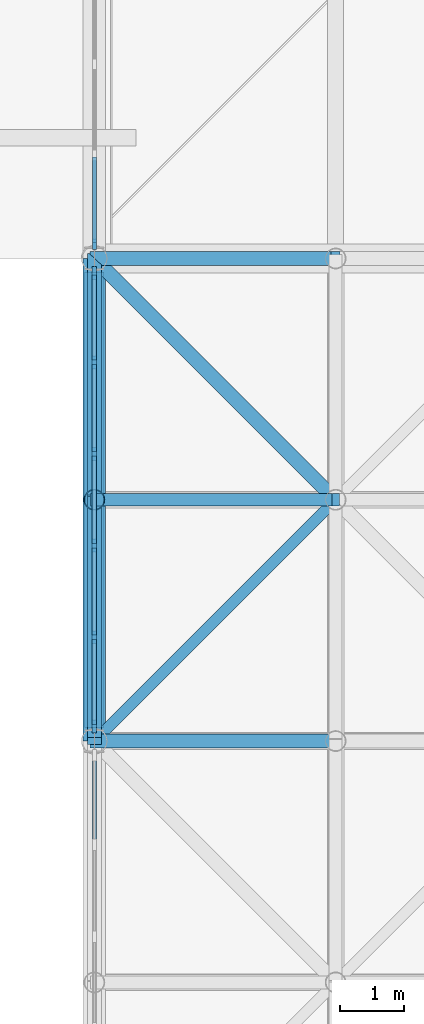
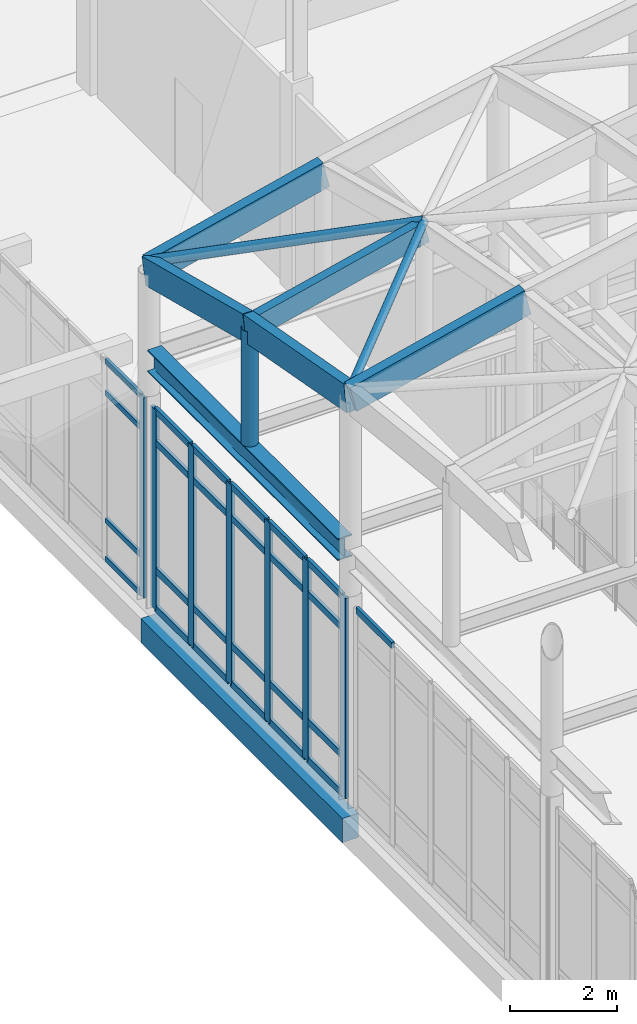
# One storey, part 25 of 131: 40 members, 2 beams, 3 elements without a shape of their own.
"""IFC4 building model written with IfcOpenShell, lengths in metres."""

from ifc_helpers import new_model, si_unit, direction, frame, origin, origin_2d, place, context, subcontext, project, spatial, rectangle, hollow_circle, i_section, extrude, material, layer, layer_set, material_profile, profile_set, type_object, element, aggregate, save


model = new_model("IFC4")

# Units and contexts
model_context = context("Model", 3, precision=1e-05, world=origin(), true_north=direction((0.0, 1.0)))
body_context = subcontext(model_context, "Body", "Model", "MODEL_VIEW")
ifc_project = project(units=[si_unit("LENGTHUNIT", "METRE"), si_unit("AREAUNIT", "SQUARE_METRE"), si_unit("VOLUMEUNIT", "CUBIC_METRE"), si_unit("PLANEANGLEUNIT", "RADIAN"), si_unit("MASSUNIT", "GRAM", prefix="KILO")], contexts=[model_context])

# Site, building, storey
site_placement = place(None, origin())
site = spatial("IfcSite", under=ifc_project, at=site_placement, CompositionType="ELEMENT")
building_placement = place(site_placement, origin())
building = spatial("IfcBuilding", under=site, at=building_placement, Name="Dalvernix Boulevard General Hospital", CompositionType="ELEMENT")
storey_placement = place(building_placement, frame((0.0, 0.0, 9.300048828125)))
storey = spatial("IfcBuildingStorey", under=building, at=storey_placement, Name="L02", CompositionType="ELEMENT", Elevation=9.300048828125)

# Beams
ifc_material_1 = material(Name="Steel S355", Category="steel")
ifc_material_profile_1 = material_profile(ifc_material_1, i_section(OverallWidth=0.300048828125, OverallDepth=0.5, WebThickness=0.014404296875, FlangeThickness=0.028076171875, FilletRadius=0.027099609375, at=origin_2d()), Name="HEB 500")
ifc_profile_set_1 = profile_set([ifc_material_profile_1], Name="Steel S355")
beam_type_1 = type_object("IfcBeamType", Name="BM-RB-02", PredefinedType="BEAM", material=ifc_profile_set_1)
beam_1_placement = place(storey_placement, frame((60.0, 54.2099609375, 5.64990234375), z_axis=(0.0, 1.0, 0.0), x_axis=(-1.0, 0.0, 0.0)))
element("IfcBeam", 1, at=beam_1_placement, inside=storey, type_object=beam_type_1, Name="Gridshell Ring Beam W bay 4", PredefinedType="BEAM", context=body_context, shape_type="SweptSolid", body=[
    extrude(i_section(OverallWidth=0.300048828125, OverallDepth=0.5, WebThickness=0.014404296875, FlangeThickness=0.028076171875, FilletRadius=0.027099609375, at=origin_2d()), origin(), (0.0, 0.0, 1.0), 7.080078125),
])
ifc_material_2 = material(Name="Concrete C35/45", Category="concrete")
ifc_material_profile_2 = material_profile(ifc_material_2, rectangle(XDim=0.35009765625, YDim=0.550048828125, at=origin_2d()), Name="RCB 350x550")
ifc_profile_set_2 = profile_set([ifc_material_profile_2], Name="Concrete C35/45")
beam_type_2 = type_object("IfcBeamType", Name="BM-SB-01-E", PredefinedType="SPANDREL", material=ifc_profile_set_2)
beam_2_placement = place(storey_placement, frame((60.0, 54.0, -0.594970703125), z_axis=(0.0, 1.0, 0.0), x_axis=(-1.0, 0.0, 0.0)))
element("IfcBeam", 2, at=beam_2_placement, inside=storey, type_object=beam_type_2, Name="L02 N-S girder 9:H-J", PredefinedType="SPANDREL", context=body_context, shape_type="SweptSolid", body=[
    extrude(rectangle(XDim=0.35009765625, YDim=0.550048828125, at=origin_2d()), origin(), (0.0, 0.0, 1.0), 7.5),
])

# Curtain wall, member
ifc_material_3 = material(Name="Thermally broken aluminium and solar-control glass curtain wall", Category="aluminium")
ifc_layer_1 = layer(ifc_material_3, 0.159912109375)
ifc_layer_set_1 = layer_set([ifc_layer_1], Name="Thermally broken aluminium and solar-control glass curtain wall (CW-CW-A-71x46)")
curtain_wall_type_1 = type_object("IfcCurtainWallType", Name="CW-CW-A-71x46", PredefinedType="USERDEFINED", material=ifc_layer_set_1)
curtain_wall_1_placement = place(storey_placement, origin())
curtain_wall_1 = element("IfcCurtainWall", 3, at=curtain_wall_1_placement, inside=storey, type_object=curtain_wall_type_1, Name="L02 curtain wall CW-A-71x46 8-8", ObjectType="GLAZED FACADE", PredefinedType="USERDEFINED")
ifc_material_4 = material(Name="Aluminium EN AW-6060", Category="aluminium")
ifc_material_profile_3 = material_profile(ifc_material_4, rectangle(XDim=0.06005859375, YDim=0.159912109375, at=origin_2d()), Name="ALU MULL 60x160")
ifc_profile_set_3 = profile_set([ifc_material_profile_3], Name="Aluminium EN AW-6060")
member_type_1 = type_object("IfcMemberType", Name="MEM-CW-M1", PredefinedType="MULLION", material=ifc_profile_set_3)
member_1_placement = place(storey_placement, frame((60.0, 61.719970703125, 0.0), z_axis=(0.0, 0.0, 1.0), x_axis=(-1.0, 0.0, 0.0)))
member_1 = element("IfcMember", 4, at=member_1_placement, type_object=member_type_1, Name="CW-A-71x46 mullion 1", PredefinedType="MULLION", context=body_context, shape_type="SweptSolid", body=[
    extrude(rectangle(XDim=0.06005859375, YDim=0.159912109375, at=origin_2d()), origin(), (0.0, 0.0, 1.0), 4.550048828125),
])

# Curtain wall, members
ifc_layer_2 = layer(ifc_material_3, 0.199951171875)
ifc_layer_set_2 = layer_set([ifc_layer_2], Name="Thermally broken aluminium and solar-control glass curtain wall (CW-CW-C-71x46)")
curtain_wall_type_2 = type_object("IfcCurtainWallType", Name="CW-CW-C-71x46", PredefinedType="USERDEFINED", material=ifc_layer_set_2)
curtain_wall_2_placement = place(storey_placement, origin())
curtain_wall_2 = element("IfcCurtainWall", 5, at=curtain_wall_2_placement, inside=storey, type_object=curtain_wall_type_2, Name="L02 curtain wall CW-C-71x46 8-7", ObjectType="GLAZED FACADE", PredefinedType="USERDEFINED")
ifc_material_profile_4 = material_profile(ifc_material_4, rectangle(XDim=0.070068359375, YDim=0.199951171875, at=origin_2d()), Name="ALU MULL 70x200")
ifc_profile_set_4 = profile_set([ifc_material_profile_4], Name="Aluminium EN AW-6060")
member_type_2 = type_object("IfcMemberType", Name="MEM-CW-M3", PredefinedType="MULLION", material=ifc_profile_set_4)
member_2_placement = place(storey_placement, frame((60.0, 54.22509765625, 0.0), z_axis=(0.0, 0.0, 1.0), x_axis=(-1.0, 0.0, 0.0)))
member_2 = element("IfcMember", 6, at=member_2_placement, type_object=member_type_2, Name="CW-C-71x46 mullion 1", PredefinedType="MULLION", context=body_context, shape_type="SweptSolid", body=[
    extrude(rectangle(XDim=0.070068359375, YDim=0.199951171875, at=origin_2d()), origin(), (0.0, 0.0, 1.0), 4.550048828125),
])
member_3_placement = place(storey_placement, frame((60.0, 55.614013671875, 0.0), z_axis=(0.0, 0.0, 1.0), x_axis=(-1.0, 0.0, 0.0)))
member_3 = element("IfcMember", 7, at=member_3_placement, type_object=member_type_2, Name="CW-C-71x46 mullion 2", PredefinedType="MULLION", context=body_context, shape_type="SweptSolid", body=[
    extrude(rectangle(XDim=0.070068359375, YDim=0.199951171875, at=origin_2d()), origin(), (0.0, 0.0, 1.0), 4.550048828125),
])
member_4_placement = place(storey_placement, frame((60.0, 57.0380859375, 0.0), z_axis=(0.0, 0.0, 1.0), x_axis=(-1.0, 0.0, 0.0)))
member_4 = element("IfcMember", 8, at=member_4_placement, type_object=member_type_2, Name="CW-C-71x46 mullion 3", PredefinedType="MULLION", context=body_context, shape_type="SweptSolid", body=[
    extrude(rectangle(XDim=0.070068359375, YDim=0.199951171875, at=origin_2d()), origin(), (0.0, 0.0, 1.0), 4.550048828125),
])
member_5_placement = place(storey_placement, frame((60.0, 58.4619140625, 0.0), z_axis=(0.0, 0.0, 1.0), x_axis=(-1.0, 0.0, 0.0)))
member_5 = element("IfcMember", 9, at=member_5_placement, type_object=member_type_2, Name="CW-C-71x46 mullion 4", PredefinedType="MULLION", context=body_context, shape_type="SweptSolid", body=[
    extrude(rectangle(XDim=0.070068359375, YDim=0.199951171875, at=origin_2d()), origin(), (0.0, 0.0, 1.0), 4.550048828125),
])
member_6_placement = place(storey_placement, frame((60.0, 59.885986328125, 0.0), z_axis=(0.0, 0.0, 1.0), x_axis=(-1.0, 0.0, 0.0)))
member_6 = element("IfcMember", 10, at=member_6_placement, type_object=member_type_2, Name="CW-C-71x46 mullion 5", PredefinedType="MULLION", context=body_context, shape_type="SweptSolid", body=[
    extrude(rectangle(XDim=0.070068359375, YDim=0.199951171875, at=origin_2d()), origin(), (0.0, 0.0, 1.0), 4.550048828125),
])
member_7_placement = place(storey_placement, frame((60.0, 61.27490234375, 0.0), z_axis=(0.0, 0.0, 1.0), x_axis=(-1.0, 0.0, 0.0)))
member_7 = element("IfcMember", 11, at=member_7_placement, type_object=member_type_2, Name="CW-C-71x46 mullion 6", PredefinedType="MULLION", context=body_context, shape_type="SweptSolid", body=[
    extrude(rectangle(XDim=0.070068359375, YDim=0.199951171875, at=origin_2d()), origin(), (0.0, 0.0, 1.0), 4.550048828125),
])

# Member
ifc_material_profile_5 = material_profile(ifc_material_4, rectangle(XDim=0.06005859375, YDim=0.1201171875, at=origin_2d()), Name="ALU TRAN 60x120")
ifc_profile_set_5 = profile_set([ifc_material_profile_5], Name="Aluminium EN AW-6060")
member_type_3 = type_object("IfcMemberType", Name="MEM-CW-T1", PredefinedType="USERDEFINED", material=ifc_profile_set_5)
member_8_placement = place(storey_placement, frame((60.0, 61.75, 0.030029296875), z_axis=(0.0, 1.0, 0.0), x_axis=(-1.0, 0.0, 0.0)))
member_8 = element("IfcMember", 12, at=member_8_placement, type_object=member_type_3, Name="CW-A-71x46 transom 1.1", ObjectType="TRANSOM", PredefinedType="USERDEFINED", context=body_context, shape_type="SweptSolid", body=[
    extrude(rectangle(XDim=0.06005859375, YDim=0.1201171875, at=origin_2d()), origin(), (0.0, 0.0, 1.0), 1.324951171875),
])

member_9_placement = place(storey_placement, frame((60.0, 61.75, 0.89990234375), z_axis=(0.0, 1.0, 0.0), x_axis=(-1.0, 0.0, 0.0)))
member_9 = element("IfcMember", 13, at=member_9_placement, type_object=member_type_3, Name="CW-A-71x46 transom 1.2", ObjectType="TRANSOM", PredefinedType="USERDEFINED", context=body_context, shape_type="SweptSolid", body=[
    extrude(rectangle(XDim=0.06005859375, YDim=0.1201171875, at=origin_2d()), origin(), (0.0, 0.0, 1.0), 1.324951171875),
])

member_10_placement = place(storey_placement, frame((60.0, 61.75, 3.800048828125), z_axis=(0.0, 1.0, 0.0), x_axis=(-1.0, 0.0, 0.0)))
member_10 = element("IfcMember", 14, at=member_10_placement, type_object=member_type_3, Name="CW-A-71x46 transom 1.3", ObjectType="TRANSOM", PredefinedType="USERDEFINED", context=body_context, shape_type="SweptSolid", body=[
    extrude(rectangle(XDim=0.06005859375, YDim=0.1201171875, at=origin_2d()), origin(), (0.0, 0.0, 1.0), 1.324951171875),
])

member_11_placement = place(storey_placement, frame((60.0, 61.75, 4.52001953125), z_axis=(0.0, 1.0, 0.0), x_axis=(-1.0, 0.0, 0.0)))
member_11 = element("IfcMember", 15, at=member_11_placement, type_object=member_type_3, Name="CW-A-71x46 transom 1.4", ObjectType="TRANSOM", PredefinedType="USERDEFINED", context=body_context, shape_type="SweptSolid", body=[
    extrude(rectangle(XDim=0.06005859375, YDim=0.1201171875, at=origin_2d()), origin(), (0.0, 0.0, 1.0), 1.324951171875),
])

aggregate(curtain_wall_1, [member_1, member_8, member_9, member_10, member_11])

# Curtain wall, member
ifc_layer_3 = layer(ifc_material_3, 0.179931640625)
ifc_layer_set_3 = layer_set([ifc_layer_3], Name="Thermally broken aluminium and solar-control glass curtain wall (CW-CW-B-71x46)")
curtain_wall_type_3 = type_object("IfcCurtainWallType", Name="CW-CW-B-71x46", PredefinedType="USERDEFINED", material=ifc_layer_set_3)
curtain_wall_3_placement = place(storey_placement, origin())
curtain_wall_3 = element("IfcCurtainWall", 16, at=curtain_wall_3_placement, inside=storey, type_object=curtain_wall_type_3, Name="L02 curtain wall CW-B-71x46 8-6", ObjectType="GLAZED FACADE", PredefinedType="USERDEFINED")
ifc_material_profile_6 = material_profile(ifc_material_4, rectangle(XDim=0.06494140625, YDim=0.139892578125, at=origin_2d()), Name="ALU TRAN 65x140")
ifc_profile_set_6 = profile_set([ifc_material_profile_6], Name="Aluminium EN AW-6060")
member_type_4 = type_object("IfcMemberType", Name="MEM-CW-T2", PredefinedType="USERDEFINED", material=ifc_profile_set_6)
member_12_placement = place(storey_placement, frame((60.0, 52.41845703125, 4.517333984375), z_axis=(0.0, 1.0, 0.0), x_axis=(-1.0, 0.0, 0.0)))
member_12 = element("IfcMember", 17, at=member_12_placement, type_object=member_type_4, Name="CW-B-71x46 transom 5.4", ObjectType="TRANSOM", PredefinedType="USERDEFINED", context=body_context, shape_type="SweptSolid", body=[
    extrude(rectangle(XDim=0.06494140625, YDim=0.139892578125, at=origin_2d()), origin(), (0.0, 0.0, 1.0), 1.32666015625),
])
aggregate(curtain_wall_3, [member_12])

# Member
ifc_material_profile_7 = material_profile(ifc_material_4, rectangle(XDim=0.070068359375, YDim=0.14990234375, at=origin_2d()), Name="ALU TRAN 70x150")
ifc_profile_set_7 = profile_set([ifc_material_profile_7], Name="Aluminium EN AW-6060")
member_type_5 = type_object("IfcMemberType", Name="MEM-CW-T3", PredefinedType="USERDEFINED", material=ifc_profile_set_7)
member_13_placement = place(storey_placement, frame((60.0, 54.260009765625, 0.034912109375), z_axis=(0.0, 1.0, 0.0), x_axis=(-1.0, 0.0, 0.0)))
member_13 = element("IfcMember", 18, at=member_13_placement, type_object=member_type_5, Name="CW-C-71x46 transom 1.1", ObjectType="TRANSOM", PredefinedType="USERDEFINED", context=body_context, shape_type="SweptSolid", body=[
    extrude(rectangle(XDim=0.070068359375, YDim=0.14990234375, at=origin_2d()), origin(), (0.0, 0.0, 1.0), 1.319091796875),
])

member_14_placement = place(storey_placement, frame((60.0, 54.260009765625, 0.89990234375), z_axis=(0.0, 1.0, 0.0), x_axis=(-1.0, 0.0, 0.0)))
member_14 = element("IfcMember", 19, at=member_14_placement, type_object=member_type_5, Name="CW-C-71x46 transom 1.2", ObjectType="TRANSOM", PredefinedType="USERDEFINED", context=body_context, shape_type="SweptSolid", body=[
    extrude(rectangle(XDim=0.070068359375, YDim=0.14990234375, at=origin_2d()), origin(), (0.0, 0.0, 1.0), 1.319091796875),
])

member_15_placement = place(storey_placement, frame((60.0, 54.260009765625, 3.800048828125), z_axis=(0.0, 1.0, 0.0), x_axis=(-1.0, 0.0, 0.0)))
member_15 = element("IfcMember", 20, at=member_15_placement, type_object=member_type_5, Name="CW-C-71x46 transom 1.3", ObjectType="TRANSOM", PredefinedType="USERDEFINED", context=body_context, shape_type="SweptSolid", body=[
    extrude(rectangle(XDim=0.070068359375, YDim=0.14990234375, at=origin_2d()), origin(), (0.0, 0.0, 1.0), 1.319091796875),
])

member_16_placement = place(storey_placement, frame((60.0, 54.260009765625, 4.514892578125), z_axis=(0.0, 1.0, 0.0), x_axis=(-1.0, 0.0, 0.0)))
member_16 = element("IfcMember", 21, at=member_16_placement, type_object=member_type_5, Name="CW-C-71x46 transom 1.4", ObjectType="TRANSOM", PredefinedType="USERDEFINED", context=body_context, shape_type="SweptSolid", body=[
    extrude(rectangle(XDim=0.070068359375, YDim=0.14990234375, at=origin_2d()), origin(), (0.0, 0.0, 1.0), 1.319091796875),
])

member_17_placement = place(storey_placement, frame((60.0, 55.64892578125, 0.034912109375), z_axis=(0.0, 1.0, 0.0), x_axis=(-1.0, 0.0, 0.0)))
member_17 = element("IfcMember", 22, at=member_17_placement, type_object=member_type_5, Name="CW-C-71x46 transom 2.1", ObjectType="TRANSOM", PredefinedType="USERDEFINED", context=body_context, shape_type="SweptSolid", body=[
    extrude(rectangle(XDim=0.070068359375, YDim=0.14990234375, at=origin_2d()), origin(), (0.0, 0.0, 1.0), 1.35400390625),
])

member_18_placement = place(storey_placement, frame((60.0, 55.64892578125, 0.89990234375), z_axis=(0.0, 1.0, 0.0), x_axis=(-1.0, 0.0, 0.0)))
member_18 = element("IfcMember", 23, at=member_18_placement, type_object=member_type_5, Name="CW-C-71x46 transom 2.2", ObjectType="TRANSOM", PredefinedType="USERDEFINED", context=body_context, shape_type="SweptSolid", body=[
    extrude(rectangle(XDim=0.070068359375, YDim=0.14990234375, at=origin_2d()), origin(), (0.0, 0.0, 1.0), 1.35400390625),
])

member_19_placement = place(storey_placement, frame((60.0, 55.64892578125, 3.800048828125), z_axis=(0.0, 1.0, 0.0), x_axis=(-1.0, 0.0, 0.0)))
member_19 = element("IfcMember", 24, at=member_19_placement, type_object=member_type_5, Name="CW-C-71x46 transom 2.3", ObjectType="TRANSOM", PredefinedType="USERDEFINED", context=body_context, shape_type="SweptSolid", body=[
    extrude(rectangle(XDim=0.070068359375, YDim=0.14990234375, at=origin_2d()), origin(), (0.0, 0.0, 1.0), 1.35400390625),
])

member_20_placement = place(storey_placement, frame((60.0, 55.64892578125, 4.514892578125), z_axis=(0.0, 1.0, 0.0), x_axis=(-1.0, 0.0, 0.0)))
member_20 = element("IfcMember", 25, at=member_20_placement, type_object=member_type_5, Name="CW-C-71x46 transom 2.4", ObjectType="TRANSOM", PredefinedType="USERDEFINED", context=body_context, shape_type="SweptSolid", body=[
    extrude(rectangle(XDim=0.070068359375, YDim=0.14990234375, at=origin_2d()), origin(), (0.0, 0.0, 1.0), 1.35400390625),
])

member_21_placement = place(storey_placement, frame((60.0, 57.072998046875, 0.034912109375), z_axis=(0.0, 1.0, 0.0), x_axis=(-1.0, 0.0, 0.0)))
member_21 = element("IfcMember", 26, at=member_21_placement, type_object=member_type_5, Name="CW-C-71x46 transom 3.1", ObjectType="TRANSOM", PredefinedType="USERDEFINED", context=body_context, shape_type="SweptSolid", body=[
    extrude(rectangle(XDim=0.070068359375, YDim=0.14990234375, at=origin_2d()), origin(), (0.0, 0.0, 1.0), 1.35400390625),
])

member_22_placement = place(storey_placement, frame((60.0, 57.072998046875, 0.89990234375), z_axis=(0.0, 1.0, 0.0), x_axis=(-1.0, 0.0, 0.0)))
member_22 = element("IfcMember", 27, at=member_22_placement, type_object=member_type_5, Name="CW-C-71x46 transom 3.2", ObjectType="TRANSOM", PredefinedType="USERDEFINED", context=body_context, shape_type="SweptSolid", body=[
    extrude(rectangle(XDim=0.070068359375, YDim=0.14990234375, at=origin_2d()), origin(), (0.0, 0.0, 1.0), 1.35400390625),
])

member_23_placement = place(storey_placement, frame((60.0, 57.072998046875, 3.800048828125), z_axis=(0.0, 1.0, 0.0), x_axis=(-1.0, 0.0, 0.0)))
member_23 = element("IfcMember", 28, at=member_23_placement, type_object=member_type_5, Name="CW-C-71x46 transom 3.3", ObjectType="TRANSOM", PredefinedType="USERDEFINED", context=body_context, shape_type="SweptSolid", body=[
    extrude(rectangle(XDim=0.070068359375, YDim=0.14990234375, at=origin_2d()), origin(), (0.0, 0.0, 1.0), 1.35400390625),
])

member_24_placement = place(storey_placement, frame((60.0, 57.072998046875, 4.514892578125), z_axis=(0.0, 1.0, 0.0), x_axis=(-1.0, 0.0, 0.0)))
member_24 = element("IfcMember", 29, at=member_24_placement, type_object=member_type_5, Name="CW-C-71x46 transom 3.4", ObjectType="TRANSOM", PredefinedType="USERDEFINED", context=body_context, shape_type="SweptSolid", body=[
    extrude(rectangle(XDim=0.070068359375, YDim=0.14990234375, at=origin_2d()), origin(), (0.0, 0.0, 1.0), 1.35400390625),
])

member_25_placement = place(storey_placement, frame((60.0, 58.4970703125, 0.034912109375), z_axis=(0.0, 1.0, 0.0), x_axis=(-1.0, 0.0, 0.0)))
member_25 = element("IfcMember", 30, at=member_25_placement, type_object=member_type_5, Name="CW-C-71x46 transom 4.1", ObjectType="TRANSOM", PredefinedType="USERDEFINED", context=body_context, shape_type="SweptSolid", body=[
    extrude(rectangle(XDim=0.070068359375, YDim=0.14990234375, at=origin_2d()), origin(), (0.0, 0.0, 1.0), 1.35400390625),
])

member_26_placement = place(storey_placement, frame((60.0, 58.4970703125, 0.89990234375), z_axis=(0.0, 1.0, 0.0), x_axis=(-1.0, 0.0, 0.0)))
member_26 = element("IfcMember", 31, at=member_26_placement, type_object=member_type_5, Name="CW-C-71x46 transom 4.2", ObjectType="TRANSOM", PredefinedType="USERDEFINED", context=body_context, shape_type="SweptSolid", body=[
    extrude(rectangle(XDim=0.070068359375, YDim=0.14990234375, at=origin_2d()), origin(), (0.0, 0.0, 1.0), 1.35400390625),
])

member_27_placement = place(storey_placement, frame((60.0, 58.4970703125, 3.800048828125), z_axis=(0.0, 1.0, 0.0), x_axis=(-1.0, 0.0, 0.0)))
member_27 = element("IfcMember", 32, at=member_27_placement, type_object=member_type_5, Name="CW-C-71x46 transom 4.3", ObjectType="TRANSOM", PredefinedType="USERDEFINED", context=body_context, shape_type="SweptSolid", body=[
    extrude(rectangle(XDim=0.070068359375, YDim=0.14990234375, at=origin_2d()), origin(), (0.0, 0.0, 1.0), 1.35400390625),
])

member_28_placement = place(storey_placement, frame((60.0, 58.4970703125, 4.514892578125), z_axis=(0.0, 1.0, 0.0), x_axis=(-1.0, 0.0, 0.0)))
member_28 = element("IfcMember", 33, at=member_28_placement, type_object=member_type_5, Name="CW-C-71x46 transom 4.4", ObjectType="TRANSOM", PredefinedType="USERDEFINED", context=body_context, shape_type="SweptSolid", body=[
    extrude(rectangle(XDim=0.070068359375, YDim=0.14990234375, at=origin_2d()), origin(), (0.0, 0.0, 1.0), 1.35400390625),
])

member_29_placement = place(storey_placement, frame((60.0, 59.9208984375, 0.034912109375), z_axis=(0.0, 1.0, 0.0), x_axis=(-1.0, 0.0, 0.0)))
member_29 = element("IfcMember", 34, at=member_29_placement, type_object=member_type_5, Name="CW-C-71x46 transom 5.1", ObjectType="TRANSOM", PredefinedType="USERDEFINED", context=body_context, shape_type="SweptSolid", body=[
    extrude(rectangle(XDim=0.070068359375, YDim=0.14990234375, at=origin_2d()), origin(), (0.0, 0.0, 1.0), 1.319091796875),
])

member_30_placement = place(storey_placement, frame((60.0, 59.9208984375, 0.89990234375), z_axis=(0.0, 1.0, 0.0), x_axis=(-1.0, 0.0, 0.0)))
member_30 = element("IfcMember", 35, at=member_30_placement, type_object=member_type_5, Name="CW-C-71x46 transom 5.2", ObjectType="TRANSOM", PredefinedType="USERDEFINED", context=body_context, shape_type="SweptSolid", body=[
    extrude(rectangle(XDim=0.070068359375, YDim=0.14990234375, at=origin_2d()), origin(), (0.0, 0.0, 1.0), 1.319091796875),
])

member_31_placement = place(storey_placement, frame((60.0, 59.9208984375, 3.800048828125), z_axis=(0.0, 1.0, 0.0), x_axis=(-1.0, 0.0, 0.0)))
member_31 = element("IfcMember", 36, at=member_31_placement, type_object=member_type_5, Name="CW-C-71x46 transom 5.3", ObjectType="TRANSOM", PredefinedType="USERDEFINED", context=body_context, shape_type="SweptSolid", body=[
    extrude(rectangle(XDim=0.070068359375, YDim=0.14990234375, at=origin_2d()), origin(), (0.0, 0.0, 1.0), 1.319091796875),
])

member_32_placement = place(storey_placement, frame((60.0, 59.9208984375, 4.514892578125), z_axis=(0.0, 1.0, 0.0), x_axis=(-1.0, 0.0, 0.0)))
member_32 = element("IfcMember", 37, at=member_32_placement, type_object=member_type_5, Name="CW-C-71x46 transom 5.4", ObjectType="TRANSOM", PredefinedType="USERDEFINED", context=body_context, shape_type="SweptSolid", body=[
    extrude(rectangle(XDim=0.070068359375, YDim=0.14990234375, at=origin_2d()), origin(), (0.0, 0.0, 1.0), 1.319091796875),
])

aggregate(curtain_wall_2, [member_2, member_3, member_4, member_5, member_6, member_7, member_13, member_14, member_15, member_16, member_17, member_18, member_19, member_20, member_21, member_22, member_23, member_24, member_25, member_26, member_27, member_28, member_29, member_30, member_31, member_32])

# Members
ifc_material_5 = material(Name="Glulam GL28h", Category="wood")
ifc_material_profile_8 = material_profile(ifc_material_5, rectangle(XDim=0.219970703125, YDim=0.60009765625, at=origin_2d()), Name="GL28h 220x600")
ifc_profile_set_8 = profile_set([ifc_material_profile_8], Name="Glulam GL28h")
member_type_6 = type_object("IfcMemberType", Name="MEM-GS-C1", PredefinedType="CHORD", material=ifc_profile_set_8)
for number, where, z_axis, x_axis, name in (
    (38, (60.0, 54.0, 9.199951171875), (0.972263633295, 0.0, 0.233887638348), (0.0, 1.0, 0.0), "ROOF TRUSS Gridshell E-W glulam rib 1-7"),
    (39, (60.0, 61.5, 7.550048828125), (0.972278025754, 0.0, 0.233827801246), (0.0, 1.0, 0.0), "ROOF TRUSS Gridshell E-W glulam rib 1-9"),
):
    element("IfcMember", number, at=place(storey_placement, frame(where, z_axis=z_axis, x_axis=x_axis)), inside=storey, type_object=member_type_6, Name=name, PredefinedType="CHORD", context=body_context, shape_type="SweptSolid", body=[
        extrude(rectangle(XDim=0.219970703125, YDim=0.60009765625, at=origin_2d()), origin(), (0.0, 0.0, 1.0), 3.85693359375),
    ])
member_33_placement = place(storey_placement, frame((60.0, 54.0, 9.199951171875), z_axis=(0.0, 0.983606557377, -0.180327868852), x_axis=(-1.0, 0.0, 0.0)))
element("IfcMember", 40, at=member_33_placement, inside=storey, type_object=member_type_6, Name="ROOF TRUSS Gridshell N-S glulam rib 1-7", PredefinedType="CHORD", context=body_context, shape_type="SweptSolid", body=[
    extrude(rectangle(XDim=0.219970703125, YDim=0.60009765625, at=origin_2d()), origin(), (0.0, 0.0, 1.0), 3.8125),
])
member_34_placement = place(storey_placement, frame((60.0, 57.75, 8.512451171875), z_axis=(0.0, 0.968610158303, -0.248584716408), x_axis=(-1.0, 0.0, 0.0)))
element("IfcMember", 41, at=member_34_placement, inside=storey, type_object=member_type_6, Name="ROOF TRUSS Gridshell N-S glulam rib 1-8", PredefinedType="CHORD", context=body_context, shape_type="SweptSolid", body=[
    extrude(rectangle(XDim=0.219970703125, YDim=0.60009765625, at=origin_2d()), origin(), (0.0, 0.0, 1.0), 3.87158203125),
])
ifc_material_profile_9 = material_profile(ifc_material_5, rectangle(XDim=0.199951171875, YDim=0.47998046875, at=origin_2d()), Name="GL28h 200x480")
ifc_profile_set_9 = profile_set([ifc_material_profile_9], Name="Glulam GL28h")
member_type_7 = type_object("IfcMemberType", Name="MEM-GS-C2", PredefinedType="CHORD", material=ifc_profile_set_9)
member_35_placement = place(storey_placement, frame((60.0, 57.75, 8.512451171875), z_axis=(0.972263633295, 0.0, 0.233887638348), x_axis=(0.0, 1.0, 0.0)))
element("IfcMember", 42, at=member_35_placement, inside=storey, type_object=member_type_7, Name="ROOF TRUSS Gridshell E-W glulam rib 1-8", PredefinedType="CHORD", context=body_context, shape_type="SweptSolid", body=[
    extrude(rectangle(XDim=0.199951171875, YDim=0.47998046875, at=origin_2d()), origin(), (0.0, 0.0, 1.0), 3.85693359375),
])
ifc_material_profile_10 = material_profile(ifc_material_1, hollow_circle(Radius=0.161865234375, WallThickness=0.012451171875, at=origin_2d()), Name="CHS 323.9x12.5")
ifc_profile_set_10 = profile_set([ifc_material_profile_10], Name="Steel S355")
member_type_8 = type_object("IfcMemberType", Name="MEM-GS-C3", PredefinedType="CHORD", material=ifc_profile_set_10)
member_36_placement = place(storey_placement, frame((60.0, 57.75, 5.89990234375), z_axis=(0.0, 0.0, 1.0), x_axis=(1.0, 0.0, 0.0)))
element("IfcMember", 43, at=member_36_placement, inside=storey, type_object=member_type_8, Name="Gridshell edge mullion 0-7", PredefinedType="CHORD", context=body_context, shape_type="SweptSolid", body=[
    extrude(hollow_circle(Radius=0.161865234375, WallThickness=0.012451171875, at=origin_2d()), origin(), (0.0, 0.0, 1.0), 2.612548828125),
])
ifc_material_profile_11 = material_profile(ifc_material_1, hollow_circle(Radius=0.084228515625, WallThickness=0.00634765625, at=origin_2d()), Name="CHS 168.3x6.3")
ifc_profile_set_11 = profile_set([ifc_material_profile_11], Name="Steel S355")
member_type_9 = type_object("IfcMemberType", Name="MEM-GSD-01", PredefinedType="BRACE", material=ifc_profile_set_11)
member_37_placement = place(storey_placement, frame((60.0, 54.0, 9.389892578125), z_axis=(0.706528568813, 0.706528568813, 0.040432201301), x_axis=(-0.707106781187, 0.707106781187, 0.0)))
element("IfcMember", 44, at=member_37_placement, inside=storey, type_object=member_type_9, Name="ROOF TRUSS Gridshell diagrid tube 1-7", PredefinedType="BRACE", context=body_context, shape_type="SweptSolid", body=[
    extrude(hollow_circle(Radius=0.084228515625, WallThickness=0.00634765625, at=origin_2d()), origin(), (0.0, 0.0, 1.0), 5.3076171875),
])
ifc_material_profile_12 = material_profile(ifc_material_1, hollow_circle(Radius=0.109619140625, WallThickness=0.008056640625, at=origin_2d()), Name="CHS 219.1x8.0")
ifc_profile_set_12 = profile_set([ifc_material_profile_12], Name="Steel S355")
member_type_10 = type_object("IfcMemberType", Name="MEM-GSD-02", PredefinedType="BRACE", material=ifc_profile_set_12)
member_38_placement = place(storey_placement, frame((63.75, 57.75, 9.6044921875), z_axis=(-0.667080628523, 0.667080628523, -0.331672835939), x_axis=(-0.707106781187, -0.707106781187, 0.0)))
element("IfcMember", 45, at=member_38_placement, inside=storey, type_object=member_type_10, Name="ROOF TRUSS Gridshell diagrid tube 1-8", PredefinedType="BRACE", context=body_context, shape_type="SweptSolid", body=[
    extrude(hollow_circle(Radius=0.109619140625, WallThickness=0.008056640625, at=origin_2d()), origin(), (0.0, 0.0, 1.0), 5.62158203125),
])

save(model, "model.ifc")
